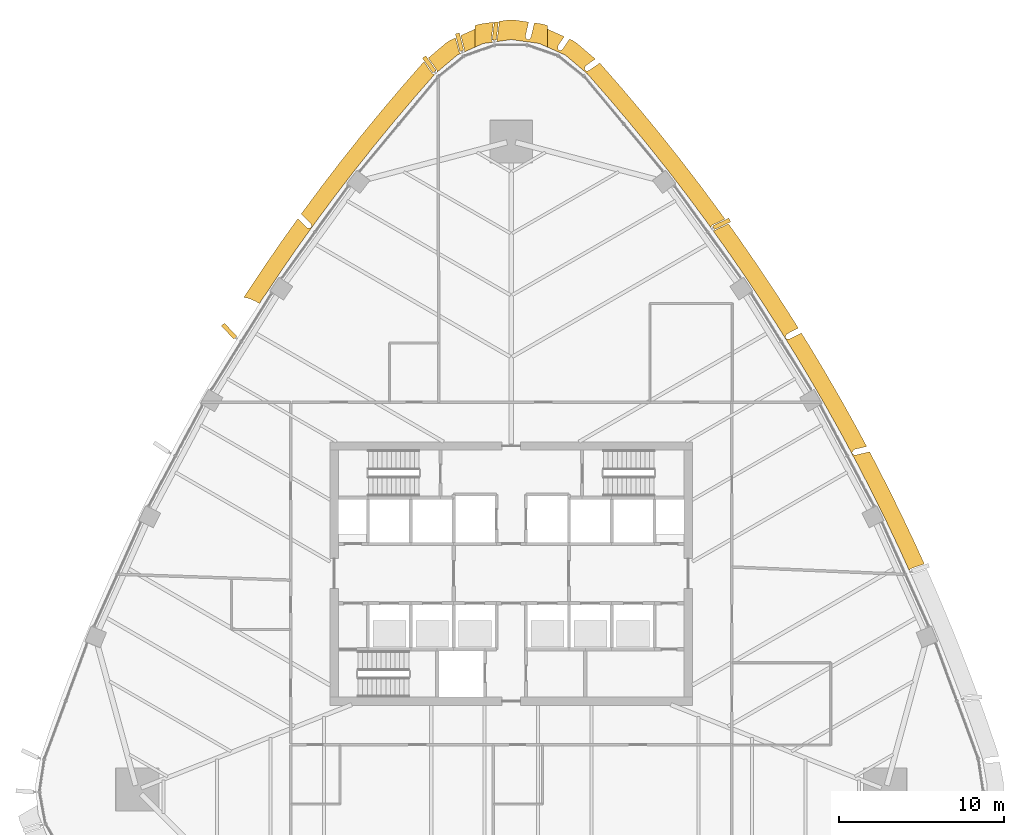
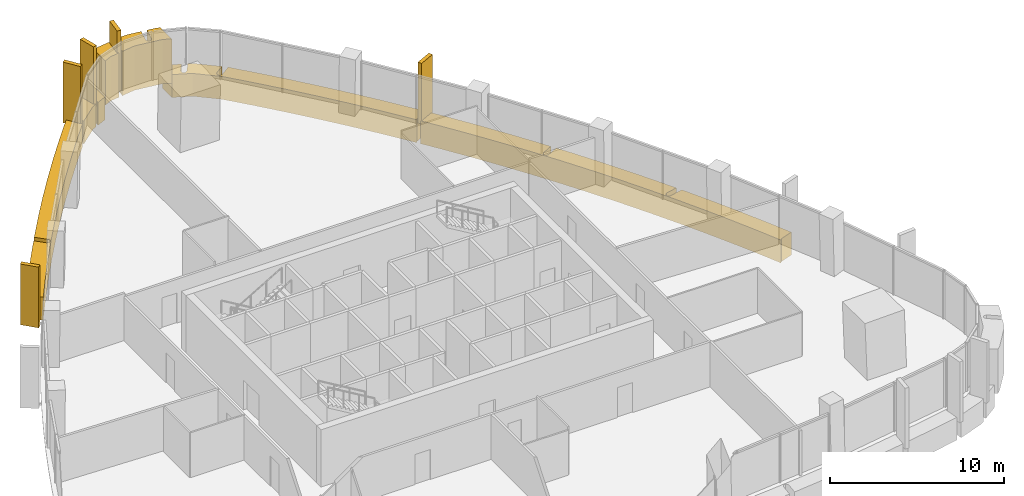
# One storey, part 18 of 19: 12 coverings.
"""IFC4 building model written with IfcOpenShell, lengths in metres."""

from ifc_helpers import new_model, si_unit, direction, frame, origin, origin_2d, place, context, subcontext, project, spatial, polyline, rectangle, outline, extrude, material, layer, layer_set, material_profile, profile_set, type_object, element, save


model = new_model("IFC4")

# Units and contexts
model_context = context("Model", 3, precision=1e-05, world=origin(), true_north=direction((0.0, 1.0)))
body_context = subcontext(model_context, "Body", "Model", "MODEL_VIEW")
ifc_project = project(units=[si_unit("LENGTHUNIT", "METRE"), si_unit("AREAUNIT", "SQUARE_METRE"), si_unit("VOLUMEUNIT", "CUBIC_METRE"), si_unit("PLANEANGLEUNIT", "RADIAN"), si_unit("MASSUNIT", "GRAM", prefix="KILO")], contexts=[model_context])

# Site, building, storey
site_placement = place(None, origin())
site = spatial("IfcSite", under=ifc_project, at=site_placement, CompositionType="ELEMENT")
building_placement = place(site_placement, origin())
building = spatial("IfcBuilding", under=site, at=building_placement, Name="Sierra Prisma Convention Tower", CompositionType="ELEMENT")
storey_placement = place(building_placement, frame((0.0, 0.0, 209.800048828125)))
storey = spatial("IfcBuildingStorey", under=building, at=storey_placement, Name="L47", CompositionType="ELEMENT", Elevation=209.800048828125)

# Coverings
ifc_material_1 = material(Name="Aluminium composite bronze anodised", Category="aluminium")
ifc_layer_1 = layer(ifc_material_1, 1.199951171875)
ifc_layer_set_1 = layer_set([ifc_layer_1], Name="Bronze corner pier")
covering_type_1 = type_object("IfcCoveringType", Name="Bronze corner pier", PredefinedType="CLADDING", material=ifc_layer_set_1)
covering_1_placement = place(storey_placement, frame((0.0, 0.0, -0.60009765625)))
element("IfcCovering", 1, at=covering_1_placement, inside=storey, type_object=covering_type_1, Name="Corner pier N L47.1", PredefinedType="CLADDING", context=body_context, shape_type="SweptSolid", body=[
    extrude(outline(polyline([(0.9228515625, 32.462646484375), (0.92578125, 32.458984375), (0.929443359375, 32.455810546875), (0.93310546875, 32.452880859375), (0.937255859375, 32.4501953125), (0.94140625, 32.447998046875), (0.94580078125, 32.4462890625), (0.950439453125, 32.44482421875), (0.955078125, 32.444091796875), (1.05419921875, 32.429931640625), (1.05908203125, 32.4296875), (1.06396484375, 32.4296875), (1.068603515625, 32.43017578125), (1.073486328125, 32.43115234375), (1.078125, 32.4326171875), (1.08251953125, 32.434326171875), (1.0869140625, 32.4365234375), (1.0908203125, 32.439208984375), (1.0947265625, 32.4423828125), (1.09814453125, 32.44580078125), (1.187255859375, 32.54345703125), (1.1904296875, 32.54736328125), (1.193359375, 32.551513671875), (1.19580078125, 32.55615234375), (1.197509765625, 32.560791015625), (1.198974609375, 32.56591796875), (1.402099609375, 33.442138671875), (1.88037109375, 33.37451171875), (2.199951171875, 33.281982421875), (2.199951171875, 31.967529296875), (1.712158203125, 32.186279296875), (0.0, 32.4287109375), (-0.90771484375, 32.300048828125), (-0.87060546875, 32.3623046875), (-0.8681640625, 32.36669921875), (-0.8662109375, 32.37158203125), (-0.864990234375, 32.376708984375), (-0.864013671875, 32.3818359375), (-0.73095703125, 33.4736328125), (-0.730712890625, 33.478515625), (-0.730712890625, 33.4833984375), (-0.731201171875, 33.48828125), (-0.732421875, 33.4931640625), (-0.73388671875, 33.497802734375), (-0.73583984375, 33.502197265625), (-0.73828125, 33.506591796875), (-0.7412109375, 33.510498046875), (-0.744384765625, 33.514404296875), (-0.748046875, 33.517578125), (-0.751708984375, 33.520751953125), (-0.756103515625, 33.523193359375), (-0.760498046875, 33.525390625), (-0.764892578125, 33.527099609375), (-0.769775390625, 33.528564453125), (-0.7744140625, 33.529296875), (-0.780517578125, 33.530029296875), (-0.168212890625, 33.61669921875), (0.168212890625, 33.61669921875), (1.05419921875, 33.4912109375), (0.85791015625, 32.64501953125), (0.857177734375, 32.639892578125), (0.856689453125, 32.635009765625), (0.85693359375, 32.6298828125), (0.857421875, 32.625), (0.858642578125, 32.6201171875), (0.8603515625, 32.615234375), (0.915771484375, 32.47509765625), (0.917724609375, 32.470703125), (0.920166015625, 32.466552734375), (0.9228515625, 32.462646484375)])), origin(), (0.0, 0.0, 1.0), 3.10009765625),
])
covering_2_placement = place(storey_placement, frame((0.0, 0.0, -0.60009765625)))
element("IfcCovering", 2, at=covering_2_placement, inside=storey, type_object=covering_type_1, Name="Corner pier N L47.2", PredefinedType="CLADDING", context=body_context, shape_type="SweptSolid", body=[
    extrude(outline(polyline([(-1.211669921875, 32.414306640625), (-1.2109375, 32.4091796875), (-1.2099609375, 32.404296875), (-1.208251953125, 32.399658203125), (-1.206298828125, 32.395263671875), (-1.20361328125, 32.390869140625), (-1.125, 32.269287109375), (-1.712158203125, 32.186279296875), (-2.199951171875, 31.967529296875), (-2.199951171875, 33.281982421875), (-1.88037109375, 33.37451171875), (-1.081787109375, 33.487548828125), (-1.21142578125, 32.424072265625), (-1.211669921875, 32.419189453125), (-1.211669921875, 32.414306640625)])), origin(), (0.0, 0.0, 1.0), 3.10009765625),
])
ifc_material_2 = material(Name="Aluminium 6063-T6 bronze anodised", Category="aluminium")
ifc_material_profile = material_profile(ifc_material_2, rectangle(XDim=1.10009765625, YDim=0.25, at=origin_2d()), Name="ALU FIN 1100x250")
ifc_profile_set = profile_set([ifc_material_profile], Name="Aluminium 6063-T6 bronze anodised")
covering_type_2 = type_object("IfcCoveringType", Name="Bronze facade fin", PredefinedType="CLADDING", material=ifc_profile_set)
for number, where, z_axis, x_axis, name in (
    (3, (12.771728515625, 21.234375, -0.300048828125), (0.0, 0.0, 1.0), (0.901786130595, 0.432182570988, 0.0), "Fin L47.36"),
    (4, (-0.97119140625, 32.948974609375, -0.300048828125), (0.0, 0.0, 1.0), (0.120943892072, 0.992659344876, 0.0), "Fin L47.43"),
    (5, (-3.1396484375, 32.27099609375, -0.300048828125), (0.0, 0.0, 1.0), (-0.244634905783, 0.969615265388, 0.0), "Fin L47.44"),
    (6, (-4.977783203125, 30.924072265625, -0.300048828125), (0.0, 0.0, 1.0), (-0.577388864249, 0.816469288731, 0.0), "Fin L47.45"),
    (7, (-17.134765625, 14.7216796875, -0.300048828125), (0.0, 0.0, 1.0), (-0.683672331875, 0.729789108324, 0.0), "Fin L47.52"),
):
    element("IfcCovering", number, at=place(storey_placement, frame(where, z_axis=z_axis, x_axis=x_axis)), inside=storey, type_object=covering_type_2, Name=name, ObjectType="FIN", PredefinedType="CLADDING", context=body_context, shape_type="SweptSolid", body=[
        extrude(rectangle(XDim=1.10009765625, YDim=0.25, at=origin_2d()), origin(), (0.0, 0.0, 1.0), 4.25),
    ])
ifc_material_3 = material(Name="Aluminium composite bronze anodised", Category="aluminium")
ifc_layer_2 = layer(ifc_material_3, 1.0)
ifc_layer_set_2 = layer_set([ifc_layer_2], Name="Bronze spandrel band")
covering_type_3 = type_object("IfcCoveringType", Name="Bronze spandrel band", PredefinedType="CLADDING", material=ifc_layer_set_2)
covering_3_placement = place(storey_placement, frame((0.0, 0.0, -1.60009765625)))
element("IfcCovering", 8, at=covering_3_placement, inside=storey, type_object=covering_type_3, Name="Spandrel band L47.1", PredefinedType="CLADDING", context=body_context, shape_type="SweptSolid", body=[
    extrude(outline(polyline([(-12.95849609375, 21.554443359375), (-12.423828125, 21.00830078125), (-12.42041015625, 21.005126953125), (-12.416748046875, 21.00244140625), (-12.412841796875, 21.0), (-12.40869140625, 20.997802734375), (-12.404296875, 20.99609375), (-12.39990234375, 20.994873046875), (-12.395263671875, 20.993896484375), (-12.237548828125, 20.970947265625), (-12.232666015625, 20.970458984375), (-12.2275390625, 20.970458984375), (-12.22265625, 20.970947265625), (-12.2177734375, 20.971923828125), (-12.212890625, 20.973388671875), (-12.20849609375, 20.975341796875), (-12.2041015625, 20.977783203125), (-12.199951171875, 20.980712890625), (-12.1962890625, 20.98388671875), (-12.192626953125, 20.9873046875), (-12.189697265625, 20.9912109375), (-12.13134765625, 21.072509765625), (-12.128662109375, 21.076904296875), (-12.126220703125, 21.08154296875), (-12.12451171875, 21.08642578125), (-12.123046875, 21.09130859375), (-12.122314453125, 21.096435546875), (-12.1220703125, 21.1015625), (-12.122314453125, 21.106689453125), (-12.123046875, 21.11181640625), (-12.12451171875, 21.116943359375), (-12.161865234375, 21.233642578125), (-12.163330078125, 21.23779296875), (-12.16552734375, 21.2421875), (-12.16796875, 21.24609375), (-12.170654296875, 21.249755859375), (-12.173583984375, 21.25341796875), (-12.751708984375, 21.843505859375), (-12.69677734375, 21.920166015625), (-12.687255859375, 21.933349609375), (-11.53662109375, 23.486083984375), (-11.52685546875, 23.4990234375), (-10.35107421875, 25.03271484375), (-10.341064453125, 25.04541015625), (-9.140380859375, 26.559814453125), (-9.130126953125, 26.572509765625), (-7.905029296875, 28.06689453125), (-7.894775390625, 28.079345703125), (-6.6455078125, 29.5537109375), (-6.634765625, 29.56591796875), (-5.361572265625, 31.019775390625), (-5.301513671875, 31.078857421875), (-4.802978515625, 30.3740234375), (-4.7998046875, 30.3701171875), (-4.79638671875, 30.366455078125), (-4.79248046875, 30.36328125), (-4.788330078125, 30.3603515625), (-4.783935546875, 30.35791015625), (-4.779296875, 30.35595703125), (-4.65380859375, 30.31005859375), (-5.882568359375, 28.9072265625), (-7.1318359375, 27.432861328125), (-8.35693359375, 25.9384765625), (-9.5576171875, 24.42431640625), (-10.733154296875, 22.890625), (-11.8837890625, 21.337890625), (-13.0087890625, 19.766845703125), (-14.108154296875, 18.177490234375), (-15.181396484375, 16.570556640625), (-15.2939453125, 16.395751953125), (-15.354248046875, 16.433349609375), (-15.5703125, 16.5537109375), (-15.79736328125, 16.652587890625), (-16.032958984375, 16.728515625), (-16.240478515625, 16.7734375), (-16.02197265625, 17.1123046875), (-16.012939453125, 17.1259765625), (-14.939697265625, 18.73291015625), (-14.930419921875, 18.74658203125), (-13.831298828125, 20.335693359375), (-13.82177734375, 20.34912109375), (-12.95849609375, 21.554443359375)])), origin(), (0.0, 0.0, 1.0), 1.60009765625),
])
covering_4_placement = place(storey_placement, frame((0.0, 0.0, -1.60009765625)))
element("IfcCovering", 9, at=covering_4_placement, inside=storey, type_object=covering_type_3, Name="Spandrel band L47.2", PredefinedType="CLADDING", context=body_context, shape_type="SweptSolid", body=[
    extrude(outline(polyline([(-3.1611328125, 31.671142578125), (-3.15771484375, 31.668212890625), (-3.052978515625, 31.584716796875), (-3.289794921875, 31.478515625), (-4.498291015625, 30.455078125), (-4.50830078125, 30.552490234375), (-4.509033203125, 30.5576171875), (-4.510498046875, 30.5625), (-4.51220703125, 30.5673828125), (-4.514404296875, 30.57177734375), (-4.51708984375, 30.576171875), (-5.0361328125, 31.309814453125), (-3.936279296875, 32.24169921875), (-3.69921875, 32.39111328125), (-3.385986328125, 32.531494140625), (-3.1748046875, 31.695068359375), (-3.173583984375, 31.6904296875), (-3.171875, 31.686279296875), (-3.169677734375, 31.68212890625), (-3.1669921875, 31.67822265625), (-3.164306640625, 31.674560546875), (-3.1611328125, 31.671142578125)])), origin(), (0.0, 0.0, 1.0), 1.60009765625),
])
covering_5_placement = place(storey_placement, frame((0.0, 0.0, -1.60009765625)))
element("IfcCovering", 10, at=covering_5_placement, inside=storey, type_object=covering_type_3, Name="Spandrel band L47.3", PredefinedType="CLADDING", context=body_context, shape_type="SweptSolid", body=[
    extrude(outline(polyline([(-2.83447265625, 31.76220703125), (-2.833984375, 31.766845703125), (-2.833984375, 31.771484375), (-2.834716796875, 31.77587890625), (-2.83544921875, 31.780517578125), (-3.061767578125, 32.677001953125), (-2.2099609375, 33.05908203125), (-2.2099609375, 31.962890625), (-2.853515625, 31.67431640625), (-2.835205078125, 31.757568359375), (-2.83447265625, 31.76220703125)])), origin(), (0.0, 0.0, 1.0), 1.60009765625),
])
covering_6_placement = place(storey_placement, frame((0.0, 0.0, -1.60009765625)))
element("IfcCovering", 11, at=covering_6_placement, inside=storey, type_object=covering_type_3, Name="Spandrel band L47.4", PredefinedType="CLADDING", context=body_context, shape_type="SweptSolid", body=[
    extrude(outline(polyline([(2.831298828125, 32.040283203125), (2.829345703125, 32.035888671875), (2.82763671875, 32.03173828125), (2.826416015625, 32.027099609375), (2.82568359375, 32.022705078125), (2.8251953125, 32.01806640625), (2.8251953125, 32.013427734375), (2.833984375, 31.85400390625), (2.83447265625, 31.84912109375), (2.83544921875, 31.84423828125), (2.8369140625, 31.839599609375), (2.8388671875, 31.8349609375), (2.84130859375, 31.830810546875), (2.843994140625, 31.82666015625), (2.847412109375, 31.82275390625), (2.850830078125, 31.8193359375), (2.854736328125, 31.816162109375), (2.85888671875, 31.8134765625), (2.86328125, 31.811279296875), (2.95458984375, 31.770263671875), (2.95947265625, 31.768310546875), (2.96435546875, 31.76708984375), (2.969482421875, 31.76611328125), (2.974609375, 31.765869140625), (2.97998046875, 31.76611328125), (2.985107421875, 31.766845703125), (2.989990234375, 31.768310546875), (2.994873046875, 31.77001953125), (2.99951171875, 31.772216796875), (3.1064453125, 31.83203125), (3.1103515625, 31.83447265625), (3.114013671875, 31.83740234375), (3.117431640625, 31.84033203125), (3.12060546875, 31.843994140625), (3.123291015625, 31.84765625), (3.54052734375, 32.462158203125), (3.69921875, 32.39111328125), (3.936279296875, 32.24169921875), (5.110107421875, 31.247314453125), (4.51904296875, 30.837890625), (4.51513671875, 30.8349609375), (4.511474609375, 30.83154296875), (4.50830078125, 30.82763671875), (4.50537109375, 30.823486328125), (4.5029296875, 30.8193359375), (4.500732421875, 30.814697265625), (4.499267578125, 30.81005859375), (4.45458984375, 30.648193359375), (4.45361328125, 30.6435546875), (4.453125, 30.638916015625), (4.452880859375, 30.634033203125), (4.453369140625, 30.62939453125), (4.4541015625, 30.624755859375), (4.455078125, 30.6201171875), (4.456787109375, 30.615478515625), (4.458740234375, 30.611328125), (4.461181640625, 30.607421875), (4.464111328125, 30.603515625), (4.46728515625, 30.599853515625), (4.470703125, 30.5966796875), (4.546875, 30.531982421875), (4.55078125, 30.529052734375), (4.55517578125, 30.5263671875), (4.5595703125, 30.524169921875), (4.564208984375, 30.5224609375), (4.56884765625, 30.521240234375), (4.57373046875, 30.5205078125), (4.578857421875, 30.520263671875), (4.583740234375, 30.5205078125), (4.588623046875, 30.52099609375), (4.69921875, 30.542236328125), (4.704345703125, 30.54345703125), (4.709228515625, 30.545166015625), (4.7138671875, 30.547607421875), (4.718505859375, 30.55029296875), (5.37451171875, 31.0048828125), (6.634765625, 29.56591796875), (6.6455078125, 29.5537109375), (7.894775390625, 28.079345703125), (7.905029296875, 28.06689453125), (9.130126953125, 26.572509765625), (9.140380859375, 26.559814453125), (10.341064453125, 25.04541015625), (10.35107421875, 25.03271484375), (11.52685546875, 23.4990234375), (11.53662109375, 23.486083984375), (12.687255859375, 21.933349609375), (12.69677734375, 21.920166015625), (12.97802734375, 21.52734375), (12.2001953125, 21.154541015625), (12.196044921875, 21.15234375), (12.192138671875, 21.14990234375), (12.1884765625, 21.14697265625), (12.18505859375, 21.1435546875), (12.18212890625, 21.14013671875), (12.179443359375, 21.13623046875), (12.17724609375, 21.13232421875), (12.1162109375, 21.01318359375), (11.8837890625, 21.337890625), (10.733154296875, 22.890625), (9.5576171875, 24.42431640625), (8.35693359375, 25.9384765625), (7.1318359375, 27.432861328125), (5.882568359375, 28.9072265625), (4.609375, 30.36083984375), (3.289794921875, 31.478515625), (2.2099609375, 31.962890625), (2.2099609375, 33.05908203125), (3.21630859375, 32.607666015625), (2.833740234375, 32.044189453125), (2.831298828125, 32.040283203125)])), origin(), (0.0, 0.0, 1.0), 1.60009765625),
])
covering_7_placement = place(storey_placement, frame((0.0, 0.0, -1.60009765625)))
element("IfcCovering", 12, at=covering_7_placement, inside=storey, type_object=covering_type_3, Name="Spandrel band L47.5", PredefinedType="CLADDING", context=body_context, shape_type="SweptSolid", body=[
    extrude(outline(polyline([(16.728515625, 14.543701171875), (16.72509765625, 14.5400390625), (16.721923828125, 14.535888671875), (16.719482421875, 14.53173828125), (16.647705078125, 14.3994140625), (16.6455078125, 14.39501953125), (16.643798828125, 14.390380859375), (16.642578125, 14.385986328125), (16.641845703125, 14.381103515625), (16.6416015625, 14.37646484375), (16.6416015625, 14.37158203125), (16.642333984375, 14.36669921875), (16.643310546875, 14.3623046875), (16.644775390625, 14.357666015625), (16.646728515625, 14.353271484375), (16.64892578125, 14.34912109375), (16.701904296875, 14.26416015625), (16.70458984375, 14.260009765625), (16.707763671875, 14.25634765625), (16.711181640625, 14.2529296875), (16.715087890625, 14.25), (16.718994140625, 14.247314453125), (16.723388671875, 14.2451171875), (16.727783203125, 14.243408203125), (16.732421875, 14.241943359375), (16.7373046875, 14.240966796875), (16.7421875, 14.240478515625), (16.874267578125, 14.23486328125), (16.87939453125, 14.23486328125), (16.884521484375, 14.235595703125), (16.889404296875, 14.236572265625), (16.894287109375, 14.238037109375), (16.89892578125, 14.240234375), (17.6181640625, 14.6044921875), (18.097900390625, 13.833251953125), (18.106201171875, 13.8193359375), (19.099609375, 12.16162109375), (19.10791015625, 12.147705078125), (20.07421875, 10.47412109375), (20.082275390625, 10.4599609375), (21.02099609375, 8.77099609375), (21.02880859375, 8.756591796875), (21.58642578125, 7.71337890625), (20.837646484375, 7.538818359375), (20.8330078125, 7.537353515625), (20.828369140625, 7.535400390625), (20.823974609375, 7.533203125), (20.819580078125, 7.530517578125), (20.81591796875, 7.52734375), (20.812255859375, 7.52392578125), (20.80908203125, 7.52001953125), (20.7080078125, 7.385986328125), (20.705322265625, 7.382080078125), (20.703125, 7.377685546875), (20.701416015625, 7.37353515625), (20.69970703125, 7.368896484375), (20.69873046875, 7.364501953125), (20.6982421875, 7.359619140625), (20.697998046875, 7.35498046875), (20.698486328125, 7.35009765625), (20.69921875, 7.345458984375), (20.7001953125, 7.341064453125), (20.701904296875, 7.33642578125), (20.7041015625, 7.332275390625), (20.751220703125, 7.244140625), (20.753662109375, 7.23974609375), (20.756591796875, 7.23583984375), (20.760009765625, 7.232177734375), (20.763671875, 7.22900390625), (20.767578125, 7.225830078125), (20.77197265625, 7.223388671875), (20.7763671875, 7.22119140625), (20.781005859375, 7.2197265625), (20.785888671875, 7.218505859375), (20.896484375, 7.197509765625), (20.901611328125, 7.19677734375), (20.906982421875, 7.196533203125), (20.912109375, 7.197021484375), (20.917236328125, 7.197998046875), (21.75732421875, 7.393798828125), (21.93994140625, 7.052490234375), (21.947509765625, 7.0380859375), (22.830810546875, 5.319091796875), (22.837890625, 5.3046875), (23.693115234375, 3.57177734375), (23.7001953125, 3.556884765625), (24.52685546875, 1.810302734375), (24.53369140625, 1.79541015625), (25.081787109375, 0.586669921875), (24.26318359375, 0.298583984375), (24.258544921875, 0.29638671875), (24.25390625, 0.294189453125), (24.249755859375, 0.29150390625), (24.24609375, 0.2880859375), (24.242431640625, 0.28466796875), (24.2392578125, 0.28076171875), (24.16748046875, 0.181884765625), (23.623046875, 1.382568359375), (22.79638671875, 3.129150390625), (21.94140625, 4.862060546875), (21.05810546875, 6.580810546875), (20.14697265625, 8.28515625), (19.2080078125, 9.97412109375), (18.241943359375, 11.647705078125), (17.24853515625, 13.30517578125), (16.228271484375, 14.9462890625), (15.181396484375, 16.570556640625), (14.108154296875, 18.177490234375), (13.0087890625, 19.766845703125), (12.243408203125, 20.835693359375), (12.328857421875, 20.833984375), (12.33349609375, 20.834228515625), (12.338134765625, 20.834716796875), (12.342529296875, 20.835693359375), (12.346923828125, 20.837158203125), (12.351318359375, 20.839111328125), (13.18505859375, 21.238525390625), (13.82177734375, 20.34912109375), (13.831298828125, 20.335693359375), (14.930419921875, 18.74658203125), (14.939697265625, 18.73291015625), (16.012939453125, 17.1259765625), (16.02197265625, 17.1123046875), (17.06884765625, 15.488037109375), (17.077392578125, 15.474365234375), (17.4326171875, 14.903076171875), (16.74072265625, 14.552490234375), (16.736328125, 14.5498046875), (16.732421875, 14.547119140625), (16.728515625, 14.543701171875)])), origin(), (0.0, 0.0, 1.0), 1.60009765625),
])

save(model, "model.ifc")
